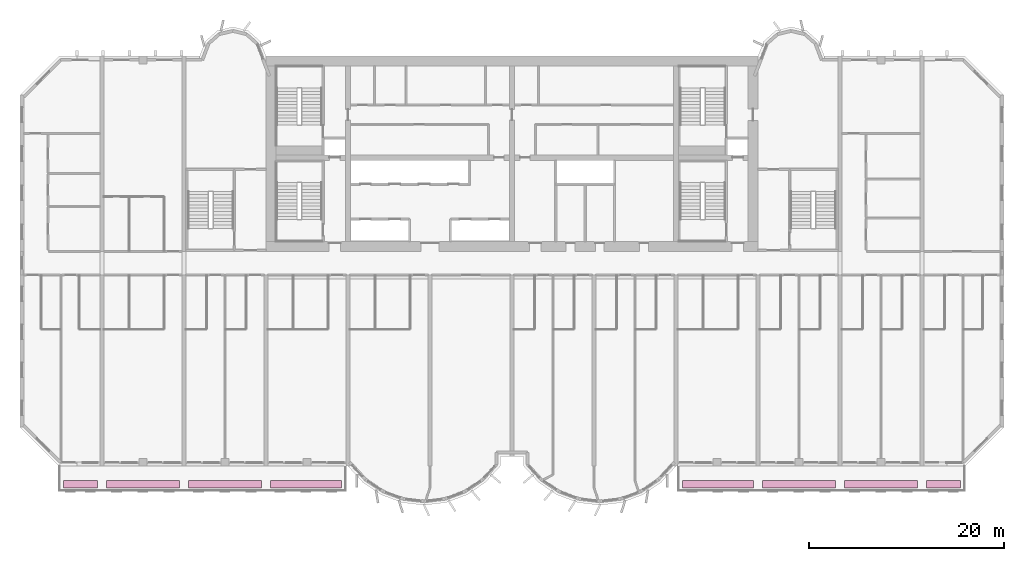
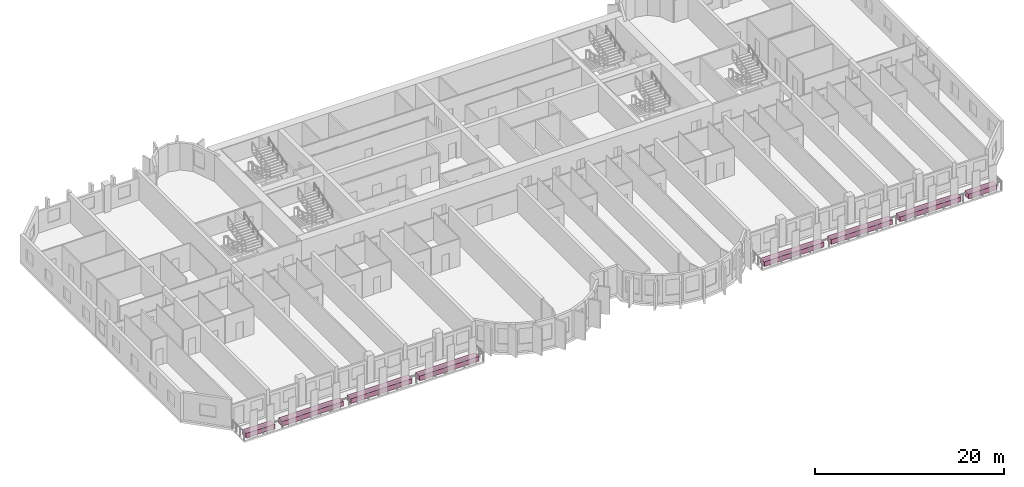
# One storey, part 14 of 14: 8 furniture elements.
"""IFC4 building model written with IfcOpenShell, lengths in metres."""

from ifc_helpers import new_model, si_unit, direction, frame, origin, origin_2d, place, context, subcontext, project, spatial, rectangle, extrude, source, transform, mapped, material, type_object, element, save


model = new_model("IFC4")

# Units and contexts
model_context = context("Model", 3, precision=1e-05, world=origin(), true_north=direction((0.0, 1.0)))
body_context = subcontext(model_context, "Body", "Model", "MODEL_VIEW")
ifc_project = project(units=[si_unit("LENGTHUNIT", "METRE"), si_unit("AREAUNIT", "SQUARE_METRE"), si_unit("VOLUMEUNIT", "CUBIC_METRE"), si_unit("PLANEANGLEUNIT", "RADIAN"), si_unit("MASSUNIT", "GRAM", prefix="KILO")], contexts=[model_context])

# Site, building, storey
site_placement = place(None, origin())
site = spatial("IfcSite", under=ifc_project, at=site_placement, CompositionType="ELEMENT")
building_placement = place(site_placement, origin())
building = spatial("IfcBuilding", under=site, at=building_placement, Name="Vanashikhar Sky Hotel", CompositionType="ELEMENT")
storey_placement = place(building_placement, frame((0.0, 0.0, 50.60009765625)))
storey = spatial("IfcBuildingStorey", under=building, at=storey_placement, Name="L11", CompositionType="ELEMENT", Elevation=50.60009765625)

# Furniture
ifc_material = material(Name="Planting soil and shrubs")
furniture_type = type_object("IfcFurnitureType", Name="Planter trough", AssemblyPlace="NOTDEFINED", PredefinedType="USERDEFINED", material=ifc_material)
shared_shape_1 = source(origin(), body_context, "Body", "SweptSolid", [
    extrude(rectangle(XDim=3.5, YDim=0.800048828125, at=origin_2d()), origin(), (0.0, 0.0, 1.0), 0.60009765625),
])
for number, where, z_axis, x_axis, name in (
    (1, (6.199951171875, -1.85009765625, -0.050048828125), (0.0, 0.0, 1.0), (1.0, 0.0, 0.0), "PLANTER with climbers"),
    (2, (94.60009765625, -1.85009765625, -0.050048828125), (0.0, 0.0, 1.0), (1.0, 0.0, 0.0), "PLANTER with climbers"),
):
    element("IfcFurniture", number, at=place(storey_placement, frame(where, z_axis=z_axis, x_axis=x_axis)), inside=storey, type_object=furniture_type, Name=name, ObjectType="PLANTER", PredefinedType="USERDEFINED", context=body_context, shape_type="MappedRepresentation", body=[
        mapped(shared_shape_1, transform((0.0, 0.0, 0.0), scale=1.0)),
    ])
shared_shape_2 = source(origin(), body_context, "Body", "SweptSolid", [
    extrude(rectangle(XDim=7.5, YDim=0.800048828125, at=origin_2d()), origin(), (0.0, 0.0, 1.0), 0.60009765625),
])
for number, where, z_axis, x_axis, name in (
    (3, (12.60009765625, -1.85009765625, -0.050048828125), (0.0, 0.0, 1.0), (1.0, 0.0, 0.0), "PLANTER with climbers"),
    (4, (21.0, -1.85009765625, -0.050048828125), (0.0, 0.0, 1.0), (1.0, 0.0, 0.0), "PLANTER with climbers"),
    (5, (79.800048828125, -1.85009765625, -0.050048828125), (0.0, 0.0, 1.0), (1.0, 0.0, 0.0), "PLANTER with climbers"),
    (6, (88.199951171875, -1.85009765625, -0.050048828125), (0.0, 0.0, 1.0), (1.0, 0.0, 0.0), "PLANTER with climbers"),
):
    element("IfcFurniture", number, at=place(storey_placement, frame(where, z_axis=z_axis, x_axis=x_axis)), inside=storey, type_object=furniture_type, Name=name, ObjectType="PLANTER", PredefinedType="USERDEFINED", context=body_context, shape_type="MappedRepresentation", body=[
        mapped(shared_shape_2, transform((0.0, 0.0, 0.0), scale=1.0)),
    ])
shared_shape_3 = source(origin(), body_context, "Body", "SweptSolid", [
    extrude(rectangle(XDim=7.300048828125, YDim=0.800048828125, at=origin_2d()), origin(), (0.0, 0.0, 1.0), 0.60009765625),
])
for number, where, z_axis, x_axis, name in (
    (7, (29.300048828125, -1.85009765625, -0.050048828125), (0.0, 0.0, 1.0), (1.0, 0.0, 0.0), "PLANTER with climbers"),
    (8, (71.5, -1.85009765625, -0.050048828125), (0.0, 0.0, 1.0), (1.0, 0.0, 0.0), "PLANTER with climbers"),
):
    element("IfcFurniture", number, at=place(storey_placement, frame(where, z_axis=z_axis, x_axis=x_axis)), inside=storey, type_object=furniture_type, Name=name, ObjectType="PLANTER", PredefinedType="USERDEFINED", context=body_context, shape_type="MappedRepresentation", body=[
        mapped(shared_shape_3, transform((0.0, 0.0, 0.0), scale=1.0)),
    ])

save(model, "model.ifc")
